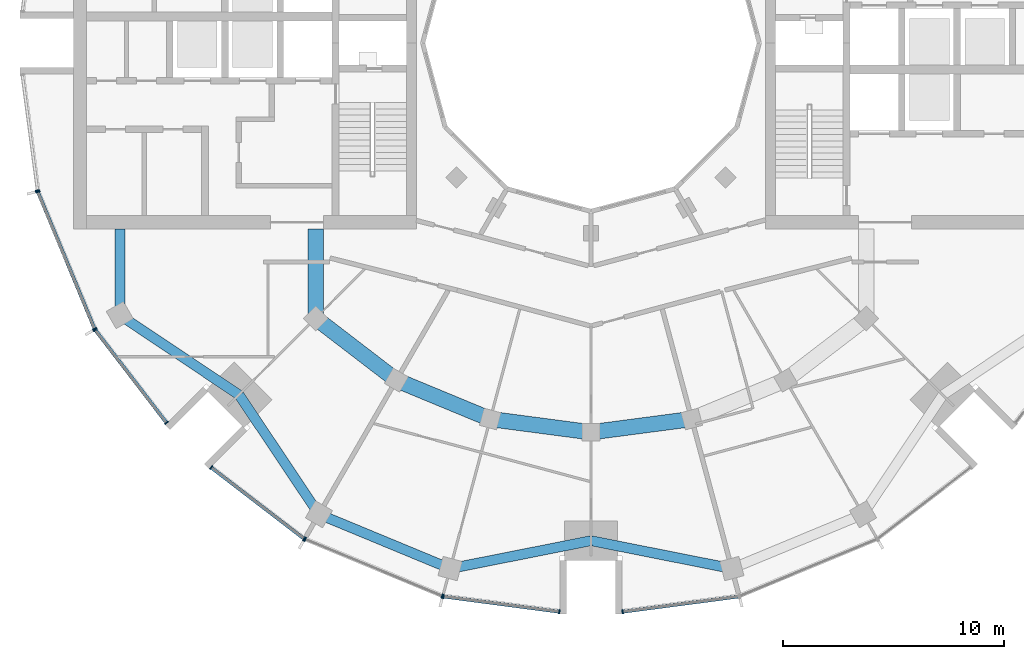
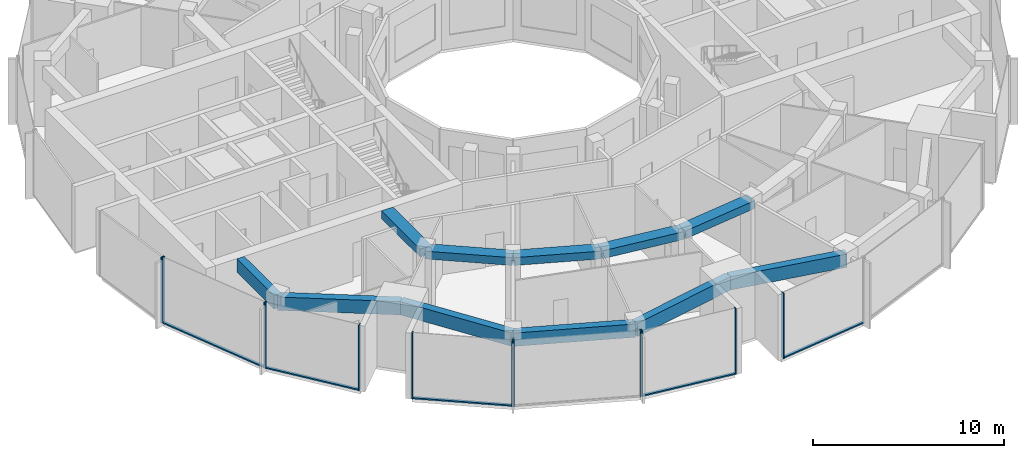
# One storey, part 2 of 15: 17 members, 11 beams, 7 elements without a shape of their own.
"""IFC4 building model written with IfcOpenShell, lengths in metres."""

from ifc_helpers import new_model, si_unit, direction, frame, origin, origin_2d, place, context, subcontext, project, spatial, rectangle, extrude, material, layer, layer_set, material_profile, profile_set, type_object, element, aggregate, save


model = new_model("IFC4")

# Units and contexts
model_context = context("Model", 3, precision=1e-05, world=origin(), true_north=direction((0.0, 1.0)))
body_context = subcontext(model_context, "Body", "Model", "MODEL_VIEW")
ifc_project = project(units=[si_unit("LENGTHUNIT", "METRE"), si_unit("AREAUNIT", "SQUARE_METRE"), si_unit("VOLUMEUNIT", "CUBIC_METRE"), si_unit("PLANEANGLEUNIT", "RADIAN"), si_unit("MASSUNIT", "GRAM", prefix="KILO")], contexts=[model_context])

# Site, building, storey
site_placement = place(None, origin())
site = spatial("IfcSite", under=ifc_project, at=site_placement, CompositionType="ELEMENT")
building_placement = place(site_placement, origin())
building = spatial("IfcBuilding", under=site, at=building_placement, Name="Torre Brocal", CompositionType="ELEMENT")
storey_placement = place(building_placement, frame((0.0, 0.0, 245.699951171875)))
storey = spatial("IfcBuildingStorey", under=building, at=storey_placement, Name="L56", CompositionType="ELEMENT", Elevation=245.699951171875)

# Curtain wall, members
ifc_material_1 = material(Name="Aluminium and glass", Category="aluminium")
ifc_layer_1 = layer(ifc_material_1, 0.199951171875)
ifc_layer_set_1 = layer_set([ifc_layer_1], Name="Aluminium and glass")
curtain_wall_type_1 = type_object("IfcCurtainWallType", Name="CW-1 CURTAIN WALL 4200 HIGH", PredefinedType="NOTDEFINED", material=ifc_layer_set_1)
curtain_wall_1_placement = place(storey_placement, origin())
curtain_wall_1 = element("IfcCurtainWall", 1, at=curtain_wall_1_placement, inside=storey, type_object=curtain_wall_type_1, Name="CW-1 RUN 14", PredefinedType="NOTDEFINED")
ifc_material_2 = material(Name="Aluminium, dark anodised", Category="aluminium")
ifc_material_profile_1 = material_profile(ifc_material_2, rectangle(XDim=0.199951171875, YDim=0.06005859375, at=origin_2d()), Name="CW-1 MULLION 60X200")
ifc_profile_set_1 = profile_set([ifc_material_profile_1], Name="Aluminium, dark anodised")
member_type_1 = type_object("IfcMemberType", Name="CW-1 MULLION 60X200", PredefinedType="MULLION", material=ifc_profile_set_1)
member_1_placement = place(storey_placement, frame((54.994873046875, 68.26904296875, 0.0), z_axis=(0.0, 0.0, 1.0), x_axis=(0.923879532525, 0.382683432333, 0.0)))
member_1 = element("IfcMember", 2, at=member_1_placement, type_object=member_type_1, Name="CW1-5 mullion 1", PredefinedType="MULLION", context=body_context, shape_type="SweptSolid", body=[
    extrude(rectangle(XDim=0.199951171875, YDim=0.06005859375, at=origin_2d()), origin(), (0.0, 0.0, 1.0), 4.199951171875),
])
member_2_placement = place(storey_placement, frame((57.559326171875, 62.078125, 0.0), z_axis=(0.0, 0.0, 1.0), x_axis=(0.923879532525, 0.382683432333, 0.0)))
member_2 = element("IfcMember", 3, at=member_2_placement, type_object=member_type_1, Name="CW1-5 mullion 2", PredefinedType="MULLION", context=body_context, shape_type="SweptSolid", body=[
    extrude(rectangle(XDim=0.199951171875, YDim=0.06005859375, at=origin_2d()), origin(), (0.0, 0.0, 1.0), 4.199951171875),
])

curtain_wall_2_placement = place(storey_placement, origin())
curtain_wall_2 = element("IfcCurtainWall", 4, at=curtain_wall_2_placement, inside=storey, type_object=curtain_wall_type_1, Name="CW-1 RUN 15", PredefinedType="NOTDEFINED")
member_3_placement = place(storey_placement, frame((57.5888671875, 62.026611328125, 0.0), z_axis=(0.0, 0.0, 1.0), x_axis=(0.793353340259, 0.60876142905, 0.0)))
member_3 = element("IfcMember", 5, at=member_3_placement, type_object=member_type_1, Name="CW1-5 mullion 1", PredefinedType="MULLION", context=body_context, shape_type="SweptSolid", body=[
    extrude(rectangle(XDim=0.199951171875, YDim=0.06005859375, at=origin_2d()), origin(), (0.0, 0.0, 1.0), 4.199951171875),
])
member_4_placement = place(storey_placement, frame((60.80859375, 57.83056640625, 0.0), z_axis=(0.0, 0.0, 1.0), x_axis=(0.793353340259, 0.60876142905, 0.0)))
member_4 = element("IfcMember", 6, at=member_4_placement, type_object=member_type_1, Name="CW1-5 mullion 2", PredefinedType="MULLION", context=body_context, shape_type="SweptSolid", body=[
    extrude(rectangle(XDim=0.199951171875, YDim=0.06005859375, at=origin_2d()), origin(), (0.0, 0.0, 1.0), 4.199951171875),
])

curtain_wall_3_placement = place(storey_placement, origin())
curtain_wall_3 = element("IfcCurtainWall", 7, at=curtain_wall_3_placement, inside=storey, type_object=curtain_wall_type_1, Name="CW-1 RUN 16", PredefinedType="NOTDEFINED")
member_5_placement = place(storey_placement, frame((62.83056640625, 55.80859375, 0.0), z_axis=(0.0, 0.0, 1.0), x_axis=(0.60876142905, 0.793353340259, 0.0)))
member_5 = element("IfcMember", 8, at=member_5_placement, type_object=member_type_1, Name="CW1-5 mullion 1", PredefinedType="MULLION", context=body_context, shape_type="SweptSolid", body=[
    extrude(rectangle(XDim=0.199951171875, YDim=0.06005859375, at=origin_2d()), origin(), (0.0, 0.0, 1.0), 4.199951171875),
])
member_6_placement = place(storey_placement, frame((67.026611328125, 52.5888671875, 0.0), z_axis=(0.0, 0.0, 1.0), x_axis=(0.60876142905, 0.793353340259, 0.0)))
member_6 = element("IfcMember", 9, at=member_6_placement, type_object=member_type_1, Name="CW1-5 mullion 2", PredefinedType="MULLION", context=body_context, shape_type="SweptSolid", body=[
    extrude(rectangle(XDim=0.199951171875, YDim=0.06005859375, at=origin_2d()), origin(), (0.0, 0.0, 1.0), 4.199951171875),
])

curtain_wall_4_placement = place(storey_placement, origin())
curtain_wall_4 = element("IfcCurtainWall", 10, at=curtain_wall_4_placement, inside=storey, type_object=curtain_wall_type_1, Name="CW-1 RUN 17", PredefinedType="NOTDEFINED")
member_7_placement = place(storey_placement, frame((67.078125, 52.559326171875, 0.0), z_axis=(0.0, 0.0, 1.0), x_axis=(0.382683432333, 0.923879532525, 0.0)))
member_7 = element("IfcMember", 11, at=member_7_placement, type_object=member_type_1, Name="CW1-5 mullion 1", PredefinedType="MULLION", context=body_context, shape_type="SweptSolid", body=[
    extrude(rectangle(XDim=0.199951171875, YDim=0.06005859375, at=origin_2d()), origin(), (0.0, 0.0, 1.0), 4.199951171875),
])
member_8_placement = place(storey_placement, frame((73.26904296875, 49.994873046875, 0.0), z_axis=(0.0, 0.0, 1.0), x_axis=(0.382683432333, 0.923879532525, 0.0)))
member_8 = element("IfcMember", 12, at=member_8_placement, type_object=member_type_1, Name="CW1-5 mullion 2", PredefinedType="MULLION", context=body_context, shape_type="SweptSolid", body=[
    extrude(rectangle(XDim=0.199951171875, YDim=0.06005859375, at=origin_2d()), origin(), (0.0, 0.0, 1.0), 4.199951171875),
])
aggregate(curtain_wall_4, [member_7, member_8])

curtain_wall_5_placement = place(storey_placement, origin())
curtain_wall_5 = element("IfcCurtainWall", 13, at=curtain_wall_5_placement, inside=storey, type_object=curtain_wall_type_1, Name="CW-1 RUN 18", PredefinedType="NOTDEFINED")
member_9_placement = place(storey_placement, frame((73.32666015625, 49.9794921875, 0.0), z_axis=(0.0, 0.0, 1.0), x_axis=(0.13052619222, 0.991444861374, 0.0)))
member_9 = element("IfcMember", 14, at=member_9_placement, type_object=member_type_1, Name="CW1-5 mullion 1", PredefinedType="MULLION", context=body_context, shape_type="SweptSolid", body=[
    extrude(rectangle(XDim=0.199951171875, YDim=0.06005859375, at=origin_2d()), origin(), (0.0, 0.0, 1.0), 4.199951171875),
])
member_10_placement = place(storey_placement, frame((78.5703125, 49.2890625, 0.0), z_axis=(0.0, 0.0, 1.0), x_axis=(0.13052619222, 0.991444861374, 0.0)))
member_10 = element("IfcMember", 15, at=member_10_placement, type_object=member_type_1, Name="CW1-5 mullion 2", PredefinedType="MULLION", context=body_context, shape_type="SweptSolid", body=[
    extrude(rectangle(XDim=0.199951171875, YDim=0.06005859375, at=origin_2d()), origin(), (0.0, 0.0, 1.0), 4.199951171875),
])

# Curtain wall, member
curtain_wall_6_placement = place(storey_placement, origin())
curtain_wall_6 = element("IfcCurtainWall", 16, at=curtain_wall_6_placement, inside=storey, type_object=curtain_wall_type_1, Name="CW-1 RUN 19", PredefinedType="NOTDEFINED")
member_11_placement = place(storey_placement, frame((81.4296875, 49.2890625, 0.0), z_axis=(0.0, 0.0, 1.0), x_axis=(-0.13052619222, 0.991444861374, 0.0)))
member_11 = element("IfcMember", 17, at=member_11_placement, type_object=member_type_1, Name="CW1-5 mullion 1", PredefinedType="MULLION", context=body_context, shape_type="SweptSolid", body=[
    extrude(rectangle(XDim=0.199951171875, YDim=0.06005859375, at=origin_2d()), origin(), (0.0, 0.0, 1.0), 4.199951171875),
])

# Member
ifc_material_3 = material(Name="Aluminium, dark anodised", Category="aluminium")
ifc_material_profile_2 = material_profile(ifc_material_3, rectangle(XDim=0.159912109375, YDim=0.080078125, at=origin_2d()), Name="CW-1 TRANSOM 160X80")
ifc_profile_set_2 = profile_set([ifc_material_profile_2], Name="Aluminium, dark anodised")
member_type_2 = type_object("IfcMemberType", Name="CW-1 TRANSOM 160X80", PredefinedType="USERDEFINED", material=ifc_profile_set_2)
member_12_placement = place(storey_placement, frame((55.00634765625, 68.241455078125, 0.0400390625), z_axis=(0.38266457234, -0.923887344364, 0.0), x_axis=(0.923887344364, 0.38266457234, 0.0)))
member_12 = element("IfcMember", 18, at=member_12_placement, type_object=member_type_2, Name="CW1-5 transom 1.1", ObjectType="TRANSOM", PredefinedType="USERDEFINED", context=body_context, shape_type="SweptSolid", body=[
    extrude(rectangle(XDim=0.159912109375, YDim=0.080078125, at=origin_2d()), origin(), (0.0, 0.0, 1.0), 6.640869140625),
])

aggregate(curtain_wall_1, [member_1, member_2, member_12])

member_13_placement = place(storey_placement, frame((57.607177734375, 62.0029296875, 0.0400390625), z_axis=(0.60874908096, -0.79336281513, 0.0), x_axis=(0.79336281513, 0.60874908096, 0.0)))
member_13 = element("IfcMember", 19, at=member_13_placement, type_object=member_type_2, Name="CW1-5 transom 1.1", ObjectType="TRANSOM", PredefinedType="USERDEFINED", context=body_context, shape_type="SweptSolid", body=[
    extrude(rectangle(XDim=0.159912109375, YDim=0.080078125, at=origin_2d()), origin(), (0.0, 0.0, 1.0), 5.22900390625),
])

aggregate(curtain_wall_2, [member_3, member_4, member_13])

member_14_placement = place(storey_placement, frame((62.8544921875, 55.790283203125, 0.0400390625), z_axis=(0.79336281513, -0.60874908096, 0.0), x_axis=(0.60874908096, 0.79336281513, 0.0)))
member_14 = element("IfcMember", 20, at=member_14_placement, type_object=member_type_2, Name="CW1-5 transom 1.1", ObjectType="TRANSOM", PredefinedType="USERDEFINED", context=body_context, shape_type="SweptSolid", body=[
    extrude(rectangle(XDim=0.159912109375, YDim=0.080078125, at=origin_2d()), origin(), (0.0, 0.0, 1.0), 5.22900390625),
])

aggregate(curtain_wall_3, [member_5, member_6, member_14])

member_15_placement = place(storey_placement, frame((73.356201171875, 49.9755859375, 0.0400390625), z_axis=(0.991442690863, -0.130542677827, 0.0), x_axis=(0.130542677827, 0.991442690863, 0.0)))
member_15 = element("IfcMember", 21, at=member_15_placement, type_object=member_type_2, Name="CW1-5 transom 1.1", ObjectType="TRANSOM", PredefinedType="USERDEFINED", context=body_context, shape_type="SweptSolid", body=[
    extrude(rectangle(XDim=0.159912109375, YDim=0.080078125, at=origin_2d()), origin(), (0.0, 0.0, 1.0), 5.22900390625),
])

aggregate(curtain_wall_5, [member_9, member_10, member_15])

member_16_placement = place(storey_placement, frame((81.45947265625, 49.29296875, 0.0400390625), z_axis=(0.991442690863, 0.130542677827, 0.0), x_axis=(-0.130542677827, 0.991442690863, 0.0)))
member_16 = element("IfcMember", 22, at=member_16_placement, type_object=member_type_2, Name="CW1-5 transom 1.1", ObjectType="TRANSOM", PredefinedType="USERDEFINED", context=body_context, shape_type="SweptSolid", body=[
    extrude(rectangle(XDim=0.159912109375, YDim=0.080078125, at=origin_2d()), origin(), (0.0, 0.0, 1.0), 5.22900390625),
])

aggregate(curtain_wall_6, [member_11, member_16])

# Curtain wall, member
ifc_material_4 = material(Name="Aluminium and glass", Category="aluminium")
ifc_layer_2 = layer(ifc_material_4, 0.199951171875)
ifc_layer_set_2 = layer_set([ifc_layer_2], Name="Aluminium and glass")
curtain_wall_type_2 = type_object("IfcCurtainWallType", Name="CW-1B CURTAIN WALL 4200 HIGH", PredefinedType="NOTDEFINED", material=ifc_layer_set_2)
curtain_wall_7_placement = place(storey_placement, origin())
curtain_wall_7 = element("IfcCurtainWall", 23, at=curtain_wall_7_placement, inside=storey, type_object=curtain_wall_type_2, Name="CW-1B RUN 13", PredefinedType="NOTDEFINED")
ifc_material_5 = material(Name="Aluminium, dark anodised", Category="aluminium")
ifc_material_profile_3 = material_profile(ifc_material_5, rectangle(XDim=0.199951171875, YDim=0.06005859375, at=origin_2d()), Name="CW-1B MULLION 60X200")
ifc_profile_set_3 = profile_set([ifc_material_profile_3], Name="Aluminium, dark anodised")
member_type_3 = type_object("IfcMemberType", Name="CW-1B MULLION 60X200", PredefinedType="MULLION", material=ifc_profile_set_3)
member_17_placement = place(storey_placement, frame((54.9794921875, 68.32666015625, 0.0), z_axis=(0.0, 0.0, 1.0), x_axis=(0.991444861374, 0.13052619222, 0.0)))
member_17 = element("IfcMember", 24, at=member_17_placement, type_object=member_type_3, Name="CW1B-5 mullion 2", PredefinedType="MULLION", context=body_context, shape_type="SweptSolid", body=[
    extrude(rectangle(XDim=0.199951171875, YDim=0.06005859375, at=origin_2d()), origin(), (0.0, 0.0, 1.0), 4.199951171875),
])
aggregate(curtain_wall_7, [member_17])

# Beams
ifc_material_6 = material(Name="Concrete C50", Category="concrete")
ifc_material_profile_4 = material_profile(ifc_material_6, rectangle(XDim=0.699951171875, YDim=0.5, at=origin_2d()), Name="RC 700X500")
ifc_profile_set_4 = profile_set([ifc_material_profile_4], Name="Concrete C50")
beam_type_1 = type_object("IfcBeamType", Name="RC BEAM 700X500 C50 TOP 3880", PredefinedType="BEAM", material=ifc_profile_set_4)
beam_1_placement = place(storey_placement, frame((67.554931640625, 62.554931640625, 3.630126953125), z_axis=(0.0, 1.0, 0.0), x_axis=(-1.0, 0.0, 0.0)))
element("IfcBeam", 25, at=beam_1_placement, inside=storey, type_object=beam_type_1, Name="Beam BT-37", PredefinedType="BEAM", context=body_context, shape_type="SweptSolid", body=[
    extrude(rectangle(XDim=0.699951171875, YDim=0.5, at=origin_2d()), origin(), (0.0, 0.0, 1.0), 4.045166015625),
])
beam_2_placement = place(storey_placement, frame((67.554931640625, 62.554931640625, 3.630126953125), z_axis=(0.793358265959, -0.6087550097, 0.0), x_axis=(0.6087550097, 0.793358265959, 0.0)))
element("IfcBeam", 26, at=beam_2_placement, inside=storey, type_object=beam_type_1, Name="Beam BT-37", PredefinedType="BEAM", context=body_context, shape_type="SweptSolid", body=[
    extrude(rectangle(XDim=0.699951171875, YDim=0.5, at=origin_2d()), origin(), (0.0, 0.0, 1.0), 4.594482421875),
])
beam_3_placement = place(storey_placement, frame((71.199951171875, 59.758056640625, 3.630126953125), z_axis=(0.923878240166, -0.382686552348, 0.0), x_axis=(0.382686552348, 0.923878240166, 0.0)))
element("IfcBeam", 27, at=beam_3_placement, inside=storey, type_object=beam_type_1, Name="Beam BT-37", PredefinedType="BEAM", context=body_context, shape_type="SweptSolid", body=[
    extrude(rectangle(XDim=0.699951171875, YDim=0.5, at=origin_2d()), origin(), (0.0, 0.0, 1.0), 4.5947265625),
])
for number, where, z_axis, x_axis, name in (
    (28, (75.44482421875, 57.999755859375, 3.630126953125), (0.991440544449, -0.130558978332, 0.0), (0.130558978332, 0.991440544449, 0.0), "Beam BT-37"),
    (29, (80.0, 57.39990234375, 3.630126953125), (0.991440544449, 0.130558978332, 0.0), (-0.130558978332, 0.991440544449, 0.0), "Beam BT-37"),
):
    element("IfcBeam", number, at=place(storey_placement, frame(where, z_axis=z_axis, x_axis=x_axis)), inside=storey, type_object=beam_type_1, Name=name, PredefinedType="BEAM", context=body_context, shape_type="SweptSolid", body=[
        extrude(rectangle(XDim=0.699951171875, YDim=0.5, at=origin_2d()), origin(), (0.0, 0.0, 1.0), 4.594482421875),
    ])
ifc_material_7 = material(Name="Concrete C50", Category="concrete")
ifc_material_profile_5 = material_profile(ifc_material_7, rectangle(XDim=0.449951171875, YDim=0.85009765625, at=origin_2d()), Name="RC 450X850")
ifc_profile_set_5 = profile_set([ifc_material_profile_5], Name="Concrete C50")
beam_type_2 = type_object("IfcBeamType", Name="RC SPANDREL BEAM 450X850 C50 TOP 3880", PredefinedType="SPANDREL", material=ifc_profile_set_5)
beam_4_placement = place(storey_placement, frame((58.69580078125, 62.699951171875, 3.455078125), z_axis=(0.0, 1.0, 0.0), x_axis=(-1.0, 0.0, 0.0)))
element("IfcBeam", 30, at=beam_4_placement, inside=storey, type_object=beam_type_2, Name="Beam BT-38", PredefinedType="SPANDREL", context=body_context, shape_type="SweptSolid", body=[
    extrude(rectangle(XDim=0.449951171875, YDim=0.85009765625, at=origin_2d()), origin(), (0.0, 0.0, 1.0), 3.900146484375),
])
for number, where, z_axis, x_axis, name in (
    (31, (58.69580078125, 62.699951171875, 3.455078125), (0.831076844476, -0.556157602282, 0.0), (0.556157602282, 0.831076844476, 0.0), "Beam BT-38"),
    (32, (64.090087890625, 59.090087890625, 3.455078125), (0.556157602282, -0.831076844476, 0.0), (0.831076844476, 0.556157602282, 0.0), "Beam BT-38"),
):
    element("IfcBeam", number, at=place(storey_placement, frame(where, z_axis=z_axis, x_axis=x_axis)), inside=storey, type_object=beam_type_2, Name=name, PredefinedType="SPANDREL", context=body_context, shape_type="SweptSolid", body=[
        extrude(rectangle(XDim=0.449951171875, YDim=0.85009765625, at=origin_2d()), origin(), (0.0, 0.0, 1.0), 6.49072265625),
    ])
beam_5_placement = place(storey_placement, frame((67.699951171875, 53.69580078125, 3.455078125), z_axis=(0.923882462513, -0.382676358639, 0.0), x_axis=(0.382676358639, 0.923882462513, 0.0)))
element("IfcBeam", 33, at=beam_5_placement, inside=storey, type_object=beam_type_2, Name="Beam BT-38", PredefinedType="SPANDREL", context=body_context, shape_type="SweptSolid", body=[
    extrude(rectangle(XDim=0.449951171875, YDim=0.85009765625, at=origin_2d()), origin(), (0.0, 0.0, 1.0), 6.421875),
])
for number, where, z_axis, x_axis, name in (
    (34, (73.633056640625, 51.23828125, 3.455078125), (0.980924907484, 0.194387051723, 0.0), (-0.194387051723, 0.980924907484, 0.0), "Beam BT-38"),
    (35, (80.0, 52.5, 3.455078125), (0.980924907484, -0.194387051723, 0.0), (0.194387051723, 0.980924907484, 0.0), "Beam BT-38"),
):
    element("IfcBeam", number, at=place(storey_placement, frame(where, z_axis=z_axis, x_axis=x_axis)), inside=storey, type_object=beam_type_2, Name=name, PredefinedType="SPANDREL", context=body_context, shape_type="SweptSolid", body=[
        extrude(rectangle(XDim=0.449951171875, YDim=0.85009765625, at=origin_2d()), origin(), (0.0, 0.0, 1.0), 6.49072265625),
    ])

save(model, "model.ifc")
